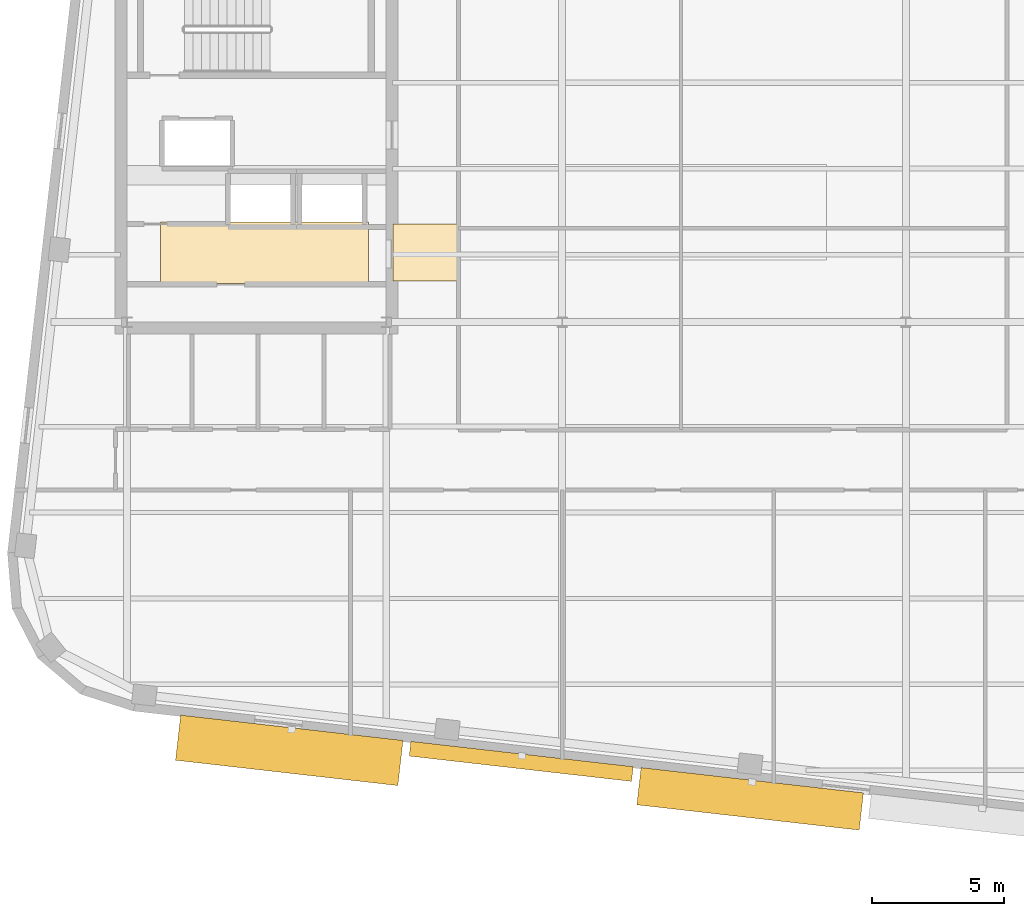
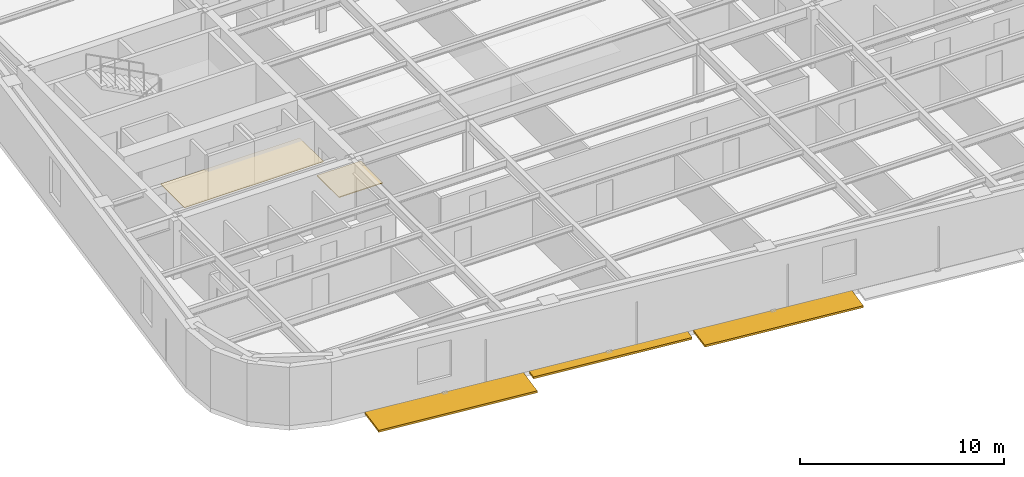
# One storey, part 10 of 13: 3 shading devices, 2 coverings.
"""IFC4 building model written with IfcOpenShell, lengths in metres."""

from ifc_helpers import new_model, si_unit, direction, frame, origin, origin_2d, place, context, subcontext, project, spatial, polyline, rectangle, outline, extrude, material, layer, layer_set, type_object, element, save


model = new_model("IFC4")

# Units and contexts
model_context = context("Model", 3, precision=1e-05, world=origin(), true_north=direction((0.0, 1.0)))
body_context = subcontext(model_context, "Body", "Model", "MODEL_VIEW")
ifc_project = project(units=[si_unit("LENGTHUNIT", "METRE"), si_unit("AREAUNIT", "SQUARE_METRE"), si_unit("VOLUMEUNIT", "CUBIC_METRE"), si_unit("PLANEANGLEUNIT", "RADIAN"), si_unit("MASSUNIT", "GRAM", prefix="KILO")], contexts=[model_context])

# Site, building, storey
site_placement = place(None, origin())
site = spatial("IfcSite", under=ifc_project, at=site_placement, CompositionType="ELEMENT")
building_placement = place(site_placement, origin())
building = spatial("IfcBuilding", under=site, at=building_placement, Name="Kolvaren Arena Tower", CompositionType="ELEMENT")
storey_placement = place(building_placement, frame((0.0, 0.0, 250.949951171875)))
storey = spatial("IfcBuildingStorey", under=building, at=storey_placement, Name="L61", CompositionType="ELEMENT", Elevation=250.949951171875)

# Coverings
ifc_material_1 = material(Name="Moisture-resistant gypsum ceiling", Category="gypsum")
ifc_layer_1 = layer(ifc_material_1, 0.030029296875)
ifc_layer_set_1 = layer_set([ifc_layer_1], Name="Moisture-resistant gypsum ceiling")
covering_type_1 = type_object("IfcCoveringType", Name="CEIL-GYP-1", PredefinedType="CEILING", material=ifc_layer_set_1)
covering_1_placement = place(storey_placement, frame((0.0, 0.0, 2.52001953125)))
element("IfcCovering", 1, at=covering_1_placement, inside=storey, type_object=covering_type_1, Name="Suspended Ceiling (L61)", PredefinedType="CEILING", context=body_context, shape_type="SweptSolid", body=[
    extrude(outline(polyline([(15.820068359375, 20.89990234375), (15.820068359375, 23.239990234375), (23.679931640625, 23.239990234375), (23.679931640625, 20.89990234375), (15.820068359375, 20.89990234375)])), origin(), (0.0, 0.0, 1.0), 0.030029296875),
])
ifc_material_2 = material(Name="Raised access office floor finish", Category="aluminium")
ifc_layer_2 = layer(ifc_material_2, 0.044921875)
ifc_layer_set_2 = layer_set([ifc_layer_2], Name="Raised access office floor finish")
covering_type_2 = type_object("IfcCoveringType", Name="FLOR-RAF-1", PredefinedType="FLOORING", material=ifc_layer_set_2)
covering_2_placement = place(storey_placement, origin())
element("IfcCovering", 2, at=covering_2_placement, inside=storey, type_object=covering_type_2, Name="Floor Finish (L61)", PredefinedType="FLOORING", context=body_context, shape_type="SweptSolid", body=[
    extrude(outline(polyline([(24.60009765625, 21.0), (24.60009765625, 23.14990234375), (27.080078125, 23.14990234375), (27.080078125, 21.0), (24.60009765625, 21.0)])), origin(), (0.0, 0.0, 1.0), 0.045166015625),
])

# Shading devices
ifc_material_3 = material(Name="Architectural precast GFRC and anodised aluminium sunshade", Category="concrete")
shading_device_type_1 = type_object("IfcShadingDeviceType", Name="SHAD-SINE-A", PredefinedType="USERDEFINED", material=ifc_material_3)
shading_device_1_placement = place(storey_placement, frame((29.455322265625, 2.841552734375, -0.139892578125), z_axis=(0.0, 0.0, 1.0), x_axis=(-0.993571658098, 0.113204947878, 0.0)))
element("IfcShadingDevice", 3, at=shading_device_1_placement, inside=storey, type_object=shading_device_type_1, Name="Sinusoidal Slab-Edge Sunshade Louvre (L61)", ObjectType="LOUVRE", PredefinedType="USERDEFINED", context=body_context, shape_type="SweptSolid", body=[
    extrude(rectangle(XDim=8.4599609375, YDim=0.560302734375, at=origin_2d()), origin(), (0.0, 0.0, 1.0), 0.1201171875),
])
shading_device_type_2 = type_object("IfcShadingDeviceType", Name="SHAD-SINE-B", PredefinedType="JALOUSIE", material=ifc_material_3)
shading_device_2_placement = place(storey_placement, frame((38.110595703125, 1.424560546875, -0.139892578125), z_axis=(0.0, 0.0, 1.0), x_axis=(-0.993571658098, 0.113204947878, 0.0)))
element("IfcShadingDevice", 4, at=shading_device_2_placement, inside=storey, type_object=shading_device_type_2, Name="Sinusoidal Slab-Edge Sunshade Louvre (L61)", PredefinedType="JALOUSIE", context=body_context, shape_type="SweptSolid", body=[
    extrude(rectangle(XDim=8.4599609375, YDim=1.416748046875, at=origin_2d()), origin(), (0.0, 0.0, 1.0), 0.1201171875),
])
shading_device_3_placement = place(storey_placement, frame((20.68603515625, 3.258544921875, -0.139892578125), z_axis=(0.0, 0.0, 1.0), x_axis=(-0.993571658098, 0.113204947878, 0.0)))
element("IfcShadingDevice", 5, at=shading_device_3_placement, inside=storey, type_object=shading_device_type_2, Name="Sinusoidal Slab-Edge Sunshade Louvre (L61)", PredefinedType="JALOUSIE", context=body_context, shape_type="SweptSolid", body=[
    extrude(rectangle(XDim=8.4599609375, YDim=1.717041015625, at=origin_2d()), origin(), (0.0, 0.0, 1.0), 0.1201171875),
])

save(model, "model.ifc")
